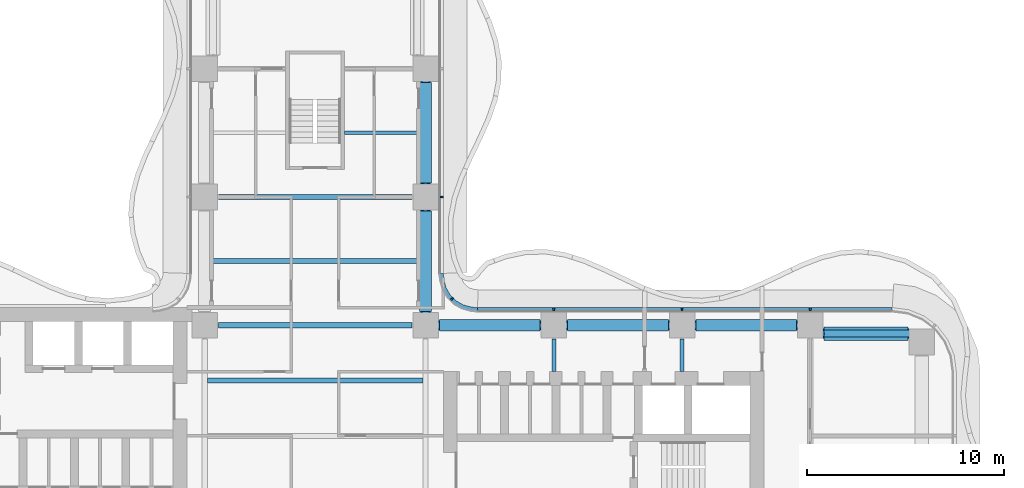
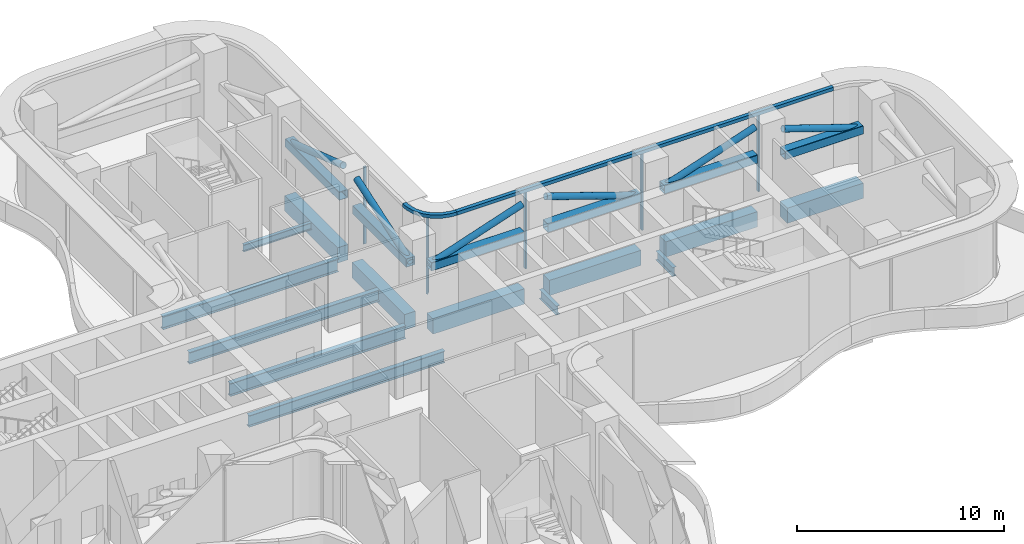
# One storey, part 7 of 20: 19 beams, 13 members, 3 elements without a shape of their own.
"""IFC4 building model written with IfcOpenShell, lengths in metres."""

from ifc_helpers import new_model, si_unit, direction, frame, origin, origin_2d, place, context, subcontext, project, spatial, polyline, rectangle, hollow_rectangle, hollow_circle, i_section, outline, extrude, source, transform, mapped, material, layer, layer_set, material_profile, profile_set, type_object, element, aggregate, save


model = new_model("IFC4")

# Units and contexts
model_context = context("Model", 3, precision=1e-05, world=origin(), true_north=direction((0.0, 1.0)))
body_context = subcontext(model_context, "Body", "Model", "MODEL_VIEW")
ifc_project = project(units=[si_unit("LENGTHUNIT", "METRE"), si_unit("AREAUNIT", "SQUARE_METRE"), si_unit("VOLUMEUNIT", "CUBIC_METRE"), si_unit("PLANEANGLEUNIT", "RADIAN"), si_unit("MASSUNIT", "GRAM", prefix="KILO")], contexts=[model_context])

# Site, building, storey
site_placement = place(None, origin())
site = spatial("IfcSite", under=ifc_project, at=site_placement, CompositionType="ELEMENT")
building_placement = place(site_placement, origin())
building = spatial("IfcBuilding", under=site, at=building_placement, Name="Trellis Farm Tower", CompositionType="ELEMENT")
storey_placement = place(building_placement, frame((0.0, 0.0, 92.5)))
storey = spatial("IfcBuildingStorey", under=building, at=storey_placement, Name="L19", CompositionType="ELEMENT", Elevation=92.5)

# Curtain wall, member
ifc_material_1 = material(Name="Aluminium and glass curtain wall", Category="aluminium")
ifc_layer_1 = layer(ifc_material_1, 0.196044921875)
ifc_layer_set_1 = layer_set([ifc_layer_1], Name="LOUVRED GLASS CURTAIN WALL CW6")
curtain_wall_type = type_object("IfcCurtainWallType", Name="LOUVRED GLASS CURTAIN WALL CW6", PredefinedType="NOTDEFINED", material=ifc_layer_set_1)
placement_1 = place(storey_placement, origin())
curtain_wall_1 = element("IfcCurtainWall", 1, at=placement_1, inside=storey, type_object=curtain_wall_type, Name="CW6 009", PredefinedType="NOTDEFINED")
ifc_material_2 = material(Name="Aluminium extrusion 6063-T6", Category="aluminium")
ifc_layer_2 = layer(ifc_material_2, 0.2099609375)
ifc_layer_set_2 = layer_set([ifc_layer_2], Name="Aluminium extrusion 6063-T6")
member_type_1 = type_object("IfcMemberType", Name="CW6 TRANSOM 210x200", PredefinedType="USERDEFINED", material=ifc_layer_set_2)
placement_2 = place(storey_placement, frame((0.0, 0.0, 4.550048828125)))
member_1 = element("IfcMember", 2, at=placement_2, type_object=member_type_1, Name="TR6 009", ObjectType="TRANSOM", PredefinedType="USERDEFINED", context=body_context, shape_type="SweptSolid", body=[
    extrude(outline(polyline([(29.25, 6.5), (8.2314453125, 6.5), (8.224609375, 6.2900390625), (29.236328125, 6.2900390625), (29.25, 6.5)])), origin(), (0.0, 0.0, 1.0), 0.199951171875),
])

# Beams
ifc_material_3 = material(Name="Steel S355", Category="steel")
ifc_material_profile_1 = material_profile(ifc_material_3, i_section(OverallWidth=0.253662109375, OverallDepth=0.68359375, WebThickness=0.012451171875, FlangeThickness=0.021728515625, FilletRadius=0.01513671875, at=origin_2d()), Name="UB 686x254x140")
ifc_profile_set_1 = profile_set([ifc_material_profile_1], Name="Steel S355")
beam_type_1 = type_object("IfcBeamType", Name="UB 686x254x140 joist", PredefinedType="JOIST", material=ifc_profile_set_1)
shared_shape_1 = source(origin(), body_context, "Body", "SweptSolid", [
    extrude(i_section(OverallWidth=0.253662109375, OverallDepth=0.68359375, WebThickness=0.012451171875, FlangeThickness=0.021728515625, FilletRadius=0.01513671875, at=origin_2d()), origin(), (0.0, 0.0, 1.0), 10.93310546875),
])
beam_1_placement = place(storey_placement, frame((-5.466552734375, 2.800048828125, -0.641845703125), z_axis=(1.0, 0.0, 0.0), x_axis=(0.0, 1.0, 0.0)))
element("IfcBeam", 3, at=beam_1_placement, inside=storey, type_object=beam_type_1, Name="Floor beam", PredefinedType="JOIST", context=body_context, shape_type="MappedRepresentation", body=[
    mapped(shared_shape_1, transform((0.0, 0.0, 0.0))),
])
ifc_material_4 = material(Name="Concrete C60/75", Category="concrete")
ifc_material_profile_2 = material_profile(ifc_material_4, rectangle(XDim=0.60009765625, YDim=0.89990234375, at=origin_2d()), Name="RC spandrel beam 600x900 C60/75")
ifc_profile_set_2 = profile_set([ifc_material_profile_2], Name="Concrete C60/75")
beam_type_2 = type_object("IfcBeamType", Name="RC spandrel beam 600x900 C60/75", PredefinedType="SPANDREL", material=ifc_profile_set_2)
shared_shape_2 = source(origin(), body_context, "Body", "SweptSolid", [
    extrude(rectangle(XDim=0.60009765625, YDim=0.89990234375, at=origin_2d()), origin(), (0.0, 0.0, 1.0), 5.099853515625),
])
for number, where, z_axis, x_axis, name in (
    (4, (6.300048828125, 5.60009765625, -0.75), (1.0, 0.0, 0.0), (0.0, 1.0, 0.0), "Girder"),
    (5, (12.800048828125, 5.60009765625, -0.75), (1.0, 0.0, 0.0), (0.0, 1.0, 0.0), "Girder"),
    (6, (19.300048828125, 5.60009765625, -0.75), (1.0, 0.0, 0.0), (0.0, 1.0, 0.0), "Girder"),
    (7, (5.60009765625, 6.300048828125, -0.75), (0.0, 1.0, 0.0), (-1.0, 0.0, 0.0), "Girder"),
    (8, (5.60009765625, 12.800048828125, -0.75), (0.0, 1.0, 0.0), (-1.0, 0.0, 0.0), "Girder"),
):
    element("IfcBeam", number, at=place(storey_placement, frame(where, z_axis=z_axis, x_axis=x_axis)), inside=storey, type_object=beam_type_2, Name=name, PredefinedType="SPANDREL", context=body_context, shape_type="MappedRepresentation", body=[
        mapped(shared_shape_2, transform((0.0, 0.0, 0.0))),
    ])
ifc_material_profile_3 = material_profile(ifc_material_3, i_section(OverallWidth=0.2666015625, OverallDepth=0.76220703125, WebThickness=0.014404296875, FlangeThickness=0.021484375, FilletRadius=0.0166015625, at=origin_2d()), Name="UB 762x267x173")
ifc_profile_set_3 = profile_set([ifc_material_profile_3], Name="Steel S355")
beam_type_3 = type_object("IfcBeamType", Name="UB 762x267x173", PredefinedType="BEAM", material=ifc_profile_set_3)
shared_shape_3 = source(origin(), body_context, "Body", "SweptSolid", [
    extrude(i_section(OverallWidth=0.2666015625, OverallDepth=0.76220703125, WebThickness=0.014404296875, FlangeThickness=0.021484375, FilletRadius=0.0166015625, at=origin_2d()), origin(), (0.0, 0.0, 1.0), 9.7998046875),
])
for number, where, z_axis, x_axis, name in (
    (9, (-4.89990234375, 5.60009765625, -0.68115234375), (1.0, 0.0, 0.0), (0.0, 1.0, 0.0), "Girder"),
    (10, (-4.89990234375, 12.10009765625, -0.68115234375), (1.0, 0.0, 0.0), (0.0, 1.0, 0.0), "Girder"),
):
    element("IfcBeam", number, at=place(storey_placement, frame(where, z_axis=z_axis, x_axis=x_axis)), inside=storey, type_object=beam_type_3, Name=name, PredefinedType="BEAM", context=body_context, shape_type="MappedRepresentation", body=[
        mapped(shared_shape_3, transform((0.0, 0.0, 0.0))),
    ])
ifc_material_profile_4 = material_profile(ifc_material_4, rectangle(XDim=0.699951171875, YDim=0.89990234375, at=origin_2d()), Name="RC spandrel beam 700x900 C60/75")
ifc_profile_set_4 = profile_set([ifc_material_profile_4], Name="Concrete C60/75")
beam_type_4 = type_object("IfcBeamType", Name="RC spandrel beam 700x900 C60/75", PredefinedType="SPANDREL", material=ifc_profile_set_4)
shared_shape_4 = source(origin(), body_context, "Body", "SweptSolid", [
    extrude(rectangle(XDim=0.699951171875, YDim=0.89990234375, at=origin_2d()), origin(), (0.0, 0.0, 1.0), 4.25),
])
beam_2_placement = place(storey_placement, frame((25.800048828125, 5.175048828125, -0.75), z_axis=(1.0, 0.0, 0.0), x_axis=(0.0, 1.0, 0.0)))
element("IfcBeam", 11, at=beam_2_placement, inside=storey, type_object=beam_type_4, Name="Girder", PredefinedType="SPANDREL", context=body_context, shape_type="MappedRepresentation", body=[
    mapped(shared_shape_4, transform((0.0, 0.0, 0.0))),
])
ifc_material_profile_5 = material_profile(ifc_material_3, i_section(OverallWidth=0.209228515625, OverallDepth=0.533203125, WebThickness=0.010009765625, FlangeThickness=0.015625, FilletRadius=0.0126953125, at=origin_2d()), Name="UB 533x210x92")
ifc_profile_set_5 = profile_set([ifc_material_profile_5], Name="Steel S355")
beam_type_5 = type_object("IfcBeamType", Name="UB 533x210x92", PredefinedType="BEAM", material=ifc_profile_set_5)
shared_shape_5 = source(origin(), body_context, "Body", "SweptSolid", [
    extrude(i_section(OverallWidth=0.209228515625, OverallDepth=0.533203125, WebThickness=0.010009765625, FlangeThickness=0.015625, FilletRadius=0.0126953125, at=origin_2d()), origin(), (0.0, 0.0, 1.0), 1.64990234375),
])
for number, where, z_axis, x_axis, name in (
    (12, (12.10009765625, 3.25, -0.56640625), (0.0, 1.0, 0.0), (-1.0, 0.0, 0.0), "Girder"),
    (13, (18.60009765625, 3.25, -0.56640625), (0.0, 1.0, 0.0), (-1.0, 0.0, 0.0), "Girder"),
):
    element("IfcBeam", number, at=place(storey_placement, frame(where, z_axis=z_axis, x_axis=x_axis)), inside=storey, type_object=beam_type_5, Name=name, PredefinedType="BEAM", context=body_context, shape_type="MappedRepresentation", body=[
        mapped(shared_shape_5, transform((0.0, 0.0, 0.0))),
    ])
ifc_material_profile_6 = material_profile(ifc_material_3, i_section(OverallWidth=0.177978515625, OverallDepth=0.406494140625, WebThickness=0.0078125, FlangeThickness=0.0126953125, FilletRadius=0.01025390625, at=origin_2d()), Name="UB 406x178x60")
ifc_profile_set_6 = profile_set([ifc_material_profile_6], Name="Steel S355")
beam_type_6 = type_object("IfcBeamType", Name="UB 406x178x60 joist", PredefinedType="JOIST", material=ifc_profile_set_6)
shared_shape_6 = source(origin(), body_context, "Body", "SweptSolid", [
    extrude(i_section(OverallWidth=0.177978515625, OverallDepth=0.406494140625, WebThickness=0.0078125, FlangeThickness=0.0126953125, FilletRadius=0.01025390625, at=origin_2d()), origin(), (0.0, 0.0, 1.0), 3.800048828125),
])
beam_3_placement = place(storey_placement, frame((1.5, 15.35009765625, -0.503173828125), z_axis=(1.0, 0.0, 0.0), x_axis=(0.0, 1.0, 0.0)))
element("IfcBeam", 14, at=beam_3_placement, inside=storey, type_object=beam_type_6, Name="Floor beam", PredefinedType="JOIST", context=body_context, shape_type="MappedRepresentation", body=[
    mapped(shared_shape_6, transform((0.0, 0.0, 0.0))),
])
shared_shape_7 = source(origin(), body_context, "Body", "SweptSolid", [
    extrude(i_section(OverallWidth=0.253662109375, OverallDepth=0.68359375, WebThickness=0.012451171875, FlangeThickness=0.021728515625, FilletRadius=0.01513671875, at=origin_2d()), origin(), (0.0, 0.0, 1.0), 10.60009765625),
])
beam_4_placement = place(storey_placement, frame((-5.300048828125, 8.85009765625, -0.641845703125), z_axis=(1.0, 0.0, 0.0), x_axis=(0.0, 1.0, 0.0)))
element("IfcBeam", 15, at=beam_4_placement, inside=storey, type_object=beam_type_1, Name="Floor beam", PredefinedType="JOIST", context=body_context, shape_type="MappedRepresentation", body=[
    mapped(shared_shape_7, transform((0.0, 0.0, 0.0))),
])
ifc_material_profile_7 = material_profile(ifc_material_3, hollow_rectangle(XDim=0.5, YDim=0.5, WallThickness=0.02001953125, InnerFilletRadius=0.02001953125, OuterFilletRadius=0.030029296875, at=origin_2d()), Name="SHS 500x500x20")
ifc_profile_set_7 = profile_set([ifc_material_profile_7], Name="Steel S355")
beam_type_7 = type_object("IfcBeamType", Name="SHS 500x500x20", PredefinedType="BEAM", material=ifc_profile_set_7)
shared_shape_8 = source(origin(), body_context, "Body", "SweptSolid", [
    extrude(hollow_rectangle(XDim=0.5, YDim=0.5, WallThickness=0.02001953125, InnerFilletRadius=0.02001953125, OuterFilletRadius=0.030029296875, at=origin_2d()), origin(), (0.0, 0.0, 1.0), 5.199951171875),
])
for number, where, z_axis, x_axis, name in (
    (16, (6.25, 5.60009765625, 2.75), (1.0, 0.0, 0.0), (0.0, 1.0, 0.0), "Outrigger truss chord SHS 500x500x20"),
    (17, (12.75, 5.60009765625, 2.75), (1.0, 0.0, 0.0), (0.0, 1.0, 0.0), "Outrigger truss chord SHS 500x500x20"),
    (18, (19.25, 5.60009765625, 2.75), (1.0, 0.0, 0.0), (0.0, 1.0, 0.0), "Outrigger truss chord SHS 500x500x20"),
    (19, (5.60009765625, 6.25, 2.75), (0.0, 1.0, 0.0), (-1.0, 0.0, 0.0), "Outrigger truss chord SHS 500x500x20"),
    (20, (5.60009765625, 12.75, 2.75), (0.0, 1.0, 0.0), (-1.0, 0.0, 0.0), "Outrigger truss chord SHS 500x500x20"),
):
    element("IfcBeam", number, at=place(storey_placement, frame(where, z_axis=z_axis, x_axis=x_axis)), inside=storey, type_object=beam_type_7, Name=name, PredefinedType="BEAM", context=body_context, shape_type="MappedRepresentation", body=[
        mapped(shared_shape_8, transform((0.0, 0.0, 0.0))),
    ])
shared_shape_9 = source(origin(), body_context, "Body", "SweptSolid", [
    extrude(hollow_rectangle(XDim=0.5, YDim=0.5, WallThickness=0.02001953125, InnerFilletRadius=0.02001953125, OuterFilletRadius=0.030029296875, at=origin_2d()), origin(), (0.0, 0.0, 1.0), 4.35009765625),
])
beam_5_placement = place(storey_placement, frame((25.75, 5.175048828125, 2.75), z_axis=(1.0, 0.0, 0.0), x_axis=(0.0, 1.0, 0.0)))
element("IfcBeam", 21, at=beam_5_placement, inside=storey, type_object=beam_type_7, Name="Outrigger truss chord SHS 500x500x20", PredefinedType="BEAM", context=body_context, shape_type="MappedRepresentation", body=[
    mapped(shared_shape_9, transform((0.0, 0.0, 0.0))),
])

# Members
ifc_material_profile_8 = material_profile(ifc_material_3, hollow_circle(Radius=0.177734375, WallThickness=0.01611328125, at=origin_2d()), Name="CHS 355.6x16")
ifc_profile_set_8 = profile_set([ifc_material_profile_8], Name="Steel S355")
member_type_2 = type_object("IfcMemberType", Name="CHS 355.6x16 brace", PredefinedType="BRACE", material=ifc_profile_set_8)
shared_shape_10 = source(origin(), body_context, "Body", "SweptSolid", [
    extrude(hollow_circle(Radius=0.177734375, WallThickness=0.01611328125, at=origin_2d()), origin(), (0.0, 0.0, 1.0), 5.486572265625),
])
for number, where, z_axis, x_axis, name in (
    (22, (6.25, 5.60009765625, 2.75), (0.947767137813, 0.0, 0.318963089528), (0.0, 1.0, 0.0), "Outrigger truss diagonal CHS 355.6x16"),
    (23, (17.949951171875, 5.60009765625, 2.75), (-0.947767137813, 0.0, 0.318963089528), (0.0, -1.0, 0.0), "Outrigger truss diagonal CHS 355.6x16"),
    (24, (19.25, 5.60009765625, 2.75), (0.947767137813, 0.0, 0.318963089528), (0.0, 1.0, 0.0), "Outrigger truss diagonal CHS 355.6x16"),
    (25, (5.60009765625, 6.25, 2.75), (0.0, 0.947767137813, 0.318963089528), (-1.0, 0.0, 0.0), "Outrigger truss diagonal CHS 355.6x16"),
    (26, (5.60009765625, 17.949951171875, 2.75), (0.0, -0.947767137813, 0.318963089528), (1.0, 0.0, 0.0), "Outrigger truss diagonal CHS 355.6x16"),
):
    element("IfcMember", number, at=place(storey_placement, frame(where, z_axis=z_axis, x_axis=x_axis)), inside=storey, type_object=member_type_2, Name=name, PredefinedType="BRACE", context=body_context, shape_type="MappedRepresentation", body=[
        mapped(shared_shape_10, transform((0.0, 0.0, 0.0))),
    ])
shared_shape_11 = source(origin(), body_context, "Body", "SweptSolid", [
    extrude(hollow_circle(Radius=0.177734375, WallThickness=0.01611328125, at=origin_2d()), origin(), (0.0, 0.0, 1.0), 4.58544921875),
])
member_2_placement = place(storey_placement, frame((30.10009765625, 5.175048828125, 2.75), z_axis=(-0.948688622243, 0.0, 0.31621179299), x_axis=(0.0, -1.0, 0.0)))
element("IfcMember", 27, at=member_2_placement, inside=storey, type_object=member_type_2, Name="Outrigger truss diagonal CHS 355.6x16", PredefinedType="BRACE", context=body_context, shape_type="MappedRepresentation", body=[
    mapped(shared_shape_11, transform((0.0, 0.0, 0.0))),
])

# Member
ifc_material_profile_9 = material_profile(ifc_material_2, rectangle(XDim=0.090087890625, YDim=0.159912109375, at=origin_2d()), Name="MULLION 90x160")
ifc_profile_set_9 = profile_set([ifc_material_profile_9], Name="Aluminium extrusion 6063-T6")
member_type_3 = type_object("IfcMemberType", Name="CW6 MULLION 90x160", PredefinedType="MULLION", material=ifc_profile_set_9)
shared_shape_12 = source(origin(), body_context, "Body", "SweptSolid", [
    extrude(rectangle(XDim=0.090087890625, YDim=0.159912109375, at=origin_2d()), origin(), (0.0, 0.0, 1.0), 4.550048828125),
])
member_3_placement = place(storey_placement, frame((25.10009765625, 6.419921875, 0.0), z_axis=(0.0, 0.0, 1.0), x_axis=(-1.0, 0.0, 0.0)))
member_3 = element("IfcMember", 28, at=member_3_placement, type_object=member_type_3, Name="MU6 009-01", PredefinedType="MULLION", context=body_context, shape_type="MappedRepresentation", body=[
    mapped(shared_shape_12, transform((0.0, 0.0, 0.0))),
])

member_4_placement = place(storey_placement, frame((18.60009765625, 6.419921875, 0.0), z_axis=(0.0, 0.0, 1.0), x_axis=(-1.0, 0.0, 0.0)))
member_4 = element("IfcMember", 29, at=member_4_placement, type_object=member_type_3, Name="MU6 009-02", PredefinedType="MULLION", context=body_context, shape_type="MappedRepresentation", body=[
    mapped(shared_shape_12, transform((0.0, 0.0, 0.0))),
])

member_5_placement = place(storey_placement, frame((12.10009765625, 6.419921875, 0.0), z_axis=(0.0, 0.0, 1.0), x_axis=(-1.0, 0.0, 0.0)))
member_5 = element("IfcMember", 30, at=member_5_placement, type_object=member_type_3, Name="MU6 009-03", PredefinedType="MULLION", context=body_context, shape_type="MappedRepresentation", body=[
    mapped(shared_shape_12, transform((0.0, 0.0, 0.0))),
])

aggregate(curtain_wall_1, [member_3, member_4, member_5, member_1])

# Curtain wall, member
curtain_wall_2 = element("IfcCurtainWall", 31, at=placement_1, inside=storey, type_object=curtain_wall_type, Name="CW6 010", PredefinedType="NOTDEFINED")
member_6_placement = place(storey_placement, frame((6.93896484375, 6.93896484375, 0.0), z_axis=(0.0, 0.0, 1.0), x_axis=(-0.707106781187, 0.707106781187, 0.0)))
member_6 = element("IfcMember", 32, at=member_6_placement, type_object=member_type_3, Name="MU6 010-01", PredefinedType="MULLION", context=body_context, shape_type="MappedRepresentation", body=[
    mapped(shared_shape_12, transform((0.0, 0.0, 0.0))),
])

curtain_wall_3 = element("IfcCurtainWall", 33, at=placement_1, inside=storey, type_object=curtain_wall_type, Name="CW6 011", PredefinedType="NOTDEFINED")
member_7_placement = place(storey_placement, frame((6.419921875, 12.10009765625, 0.0), z_axis=(0.0, 0.0, 1.0), x_axis=(0.0, 1.0, 0.0)))
member_7 = element("IfcMember", 34, at=member_7_placement, type_object=member_type_3, Name="MU6 011-01", PredefinedType="MULLION", context=body_context, shape_type="MappedRepresentation", body=[
    mapped(shared_shape_12, transform((0.0, 0.0, 0.0))),
])
aggregate(curtain_wall_3, [member_7])

# Member
shared_shape_13 = source(origin(), body_context, "Body", "SweptSolid", [
    extrude(outline(polyline([(8.2314453125, 6.5), (8.01953125, 6.513916015625), (7.91552734375, 6.527587890625), (7.508544921875, 6.63671875), (7.144287109375, 6.846923828125), (6.846923828125, 7.144287109375), (6.63671875, 7.508544921875), (6.527587890625, 7.91552734375), (6.513916015625, 8.01953125), (6.5, 8.2314453125), (6.2900390625, 8.224609375), (6.3046875, 7.9990234375), (6.321044921875, 7.87451171875), (6.44091796875, 7.427490234375), (6.678955078125, 7.015380859375), (7.015380859375, 6.678955078125), (7.427490234375, 6.44091796875), (7.87451171875, 6.321044921875), (7.9990234375, 6.3046875), (8.224609375, 6.2900390625), (8.2314453125, 6.5)])), origin(), (0.0, 0.0, 1.0), 0.199951171875),
])
member_8 = element("IfcMember", 35, at=placement_2, type_object=member_type_1, Name="TR6 010", ObjectType="TRANSOM", PredefinedType="USERDEFINED", context=body_context, shape_type="MappedRepresentation", body=[
    mapped(shared_shape_13, transform((0.0, 0.0, 0.0))),
])

aggregate(curtain_wall_2, [member_6, member_8])

save(model, "model.ifc")
